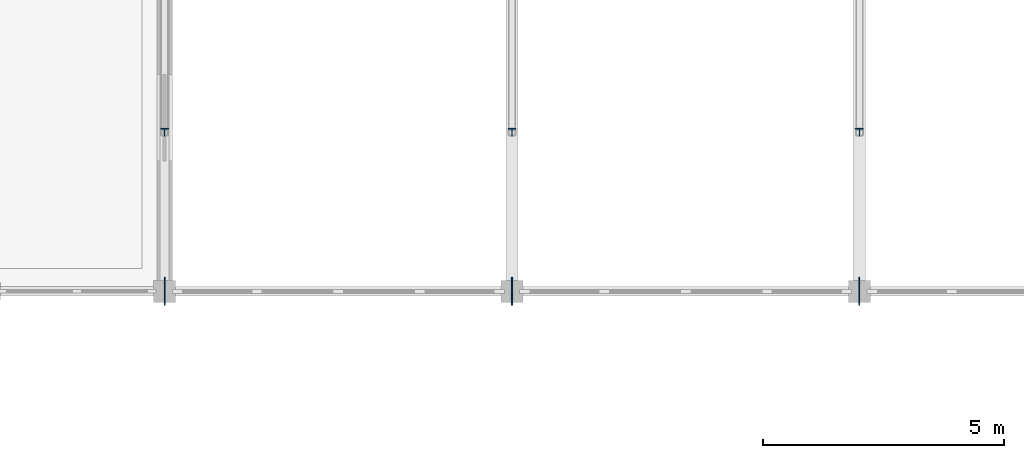
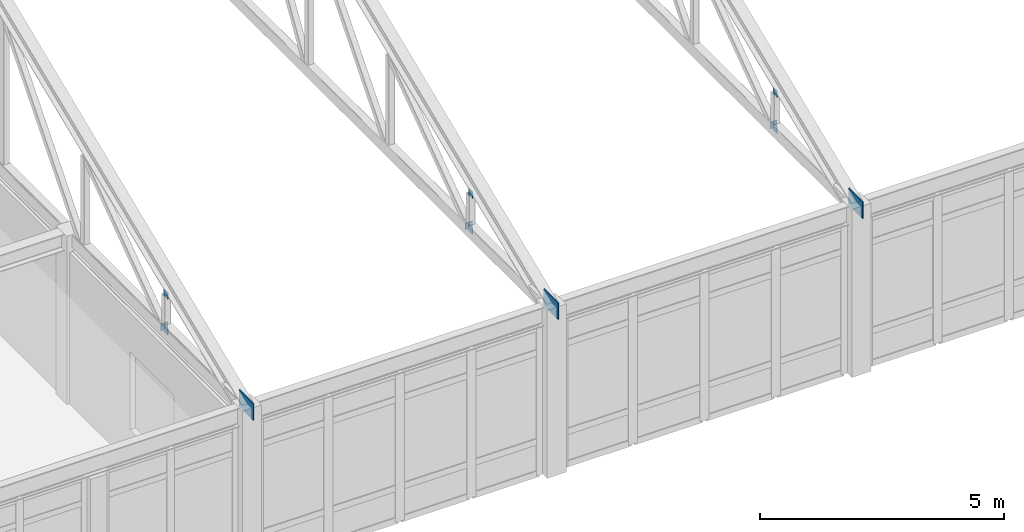
# One storey, part 97 of 136: 12 plates.
"""IFC4 building model written with IfcOpenShell, lengths in metres."""

from ifc_helpers import new_model, si_unit, direction, frame, origin, origin_2d, place, context, subcontext, project, spatial, rectangle, extrude, material, layer, layer_set, type_object, element, save


model = new_model("IFC4")

# Units and contexts
model_context = context("Model", 3, precision=1e-05, world=origin(), true_north=direction((0.0, 1.0)))
body_context = subcontext(model_context, "Body", "Model", "MODEL_VIEW")
ifc_project = project(units=[si_unit("LENGTHUNIT", "METRE"), si_unit("AREAUNIT", "SQUARE_METRE"), si_unit("VOLUMEUNIT", "CUBIC_METRE"), si_unit("PLANEANGLEUNIT", "RADIAN"), si_unit("MASSUNIT", "GRAM", prefix="KILO")], contexts=[model_context])

# Site, building, storey
site_placement = place(None, origin())
site = spatial("IfcSite", under=ifc_project, at=site_placement, CompositionType="ELEMENT")
building_placement = place(site_placement, origin())
building = spatial("IfcBuilding", under=site, at=building_placement, Name="Koriwan Promenade Central Fire Station", CompositionType="ELEMENT")
storey_placement = place(building_placement, frame((0.0, 0.0, 5.39990234375)))
storey = spatial("IfcBuildingStorey", under=building, at=storey_placement, Name="L01", CompositionType="ELEMENT", Elevation=5.39990234375)

# Plates
ifc_material = material(Name="Steel ASTM A572 Grade 50", Category="steel")
ifc_layer_1 = layer(ifc_material, 0.01611328125, Name="Steel ASTM A572 Grade 50")
ifc_layer_set_1 = layer_set([ifc_layer_1], Name="Steel ASTM A572 Grade 50")
plate_type_1 = type_object("IfcPlateType", Name="EndCap_HSS150", PredefinedType="SHEET", material=ifc_layer_set_1)
for number, where, z_axis, x_axis, name in (
    (1, (64.800048828125, 46.5, 3.9296875), (0.0, 0.0, 1.0), (1.0, 0.0, 0.0), "TR_V1_02 vertical 1 end cap 1"),
    (2, (64.800048828125, 46.5, 4.83251953125), (0.0, 0.0, 1.0), (1.0, 0.0, 0.0), "TR_V1_02 vertical 1 end cap 2"),
    (3, (64.800048828125, 46.573486328125, 3.98291015625), (0.0, 0.0, 1.0), (0.0, 1.0, 0.0), "TR_V1_02 web diagonal 2 end cap 1"),
    (4, (72.0, 46.5, 3.9296875), (0.0, 0.0, 1.0), (1.0, 0.0, 0.0), "TR_V1_03 vertical 1 end cap 1"),
    (5, (72.0, 46.5, 4.83251953125), (0.0, 0.0, 1.0), (1.0, 0.0, 0.0), "TR_V1_03 vertical 1 end cap 2"),
    (6, (72.0, 46.573486328125, 3.98291015625), (0.0, 0.0, 1.0), (0.0, 1.0, 0.0), "TR_V1_03 web diagonal 2 end cap 1"),
    (7, (79.199951171875, 46.5, 3.9296875), (0.0, 0.0, 1.0), (1.0, 0.0, 0.0), "TR_V1_04 vertical 1 end cap 1"),
    (8, (79.199951171875, 46.5, 4.83251953125), (0.0, 0.0, 1.0), (1.0, 0.0, 0.0), "TR_V1_04 vertical 1 end cap 2"),
    (9, (79.199951171875, 46.573486328125, 3.98291015625), (0.0, 0.0, 1.0), (0.0, 1.0, 0.0), "TR_V1_04 web diagonal 2 end cap 1"),
):
    element("IfcPlate", number, at=place(storey_placement, frame(where, z_axis=z_axis, x_axis=x_axis)), inside=storey, type_object=plate_type_1, Name=name, PredefinedType="SHEET", context=body_context, shape_type="SweptSolid", body=[
        extrude(rectangle(XDim=0.01611328125, YDim=0.1650390625, at=origin_2d()), origin(), (0.0, 0.0, 1.0), 0.1650390625),
    ])
ifc_layer_2 = layer(ifc_material, 0.419921875, Name="Steel ASTM A572 Grade 50")
ifc_layer_set_2 = layer_set([ifc_layer_2], Name="Steel ASTM A572 Grade 50")
plate_type_2 = type_object("IfcPlateType", Name="NodeGusset_Eave", PredefinedType="SHEET", material=ifc_layer_set_2)
for number, where, z_axis, x_axis, name in (
    (10, (64.800048828125, 43.199951171875, 3.93017578125), (0.0, 0.0, 1.0), (1.0, 0.0, 0.0), "TR_V1_02 eave node gusset TN-E1 (S)"),
    (11, (72.0, 43.199951171875, 3.93017578125), (0.0, 0.0, 1.0), (1.0, 0.0, 0.0), "TR_V1_03 eave node gusset TN-E1 (S)"),
    (12, (79.199951171875, 43.199951171875, 3.93017578125), (0.0, 0.0, 1.0), (1.0, 0.0, 0.0), "TR_V1_04 eave node gusset TN-E1 (S)"),
):
    element("IfcPlate", number, at=place(storey_placement, frame(where, z_axis=z_axis, x_axis=x_axis)), inside=storey, type_object=plate_type_2, Name=name, PredefinedType="SHEET", context=body_context, shape_type="SweptSolid", body=[
        extrude(rectangle(XDim=0.02197265625, YDim=0.580078125, at=origin_2d()), origin(), (0.0, 0.0, 1.0), 0.419921875),
    ])

save(model, "model.ifc")
